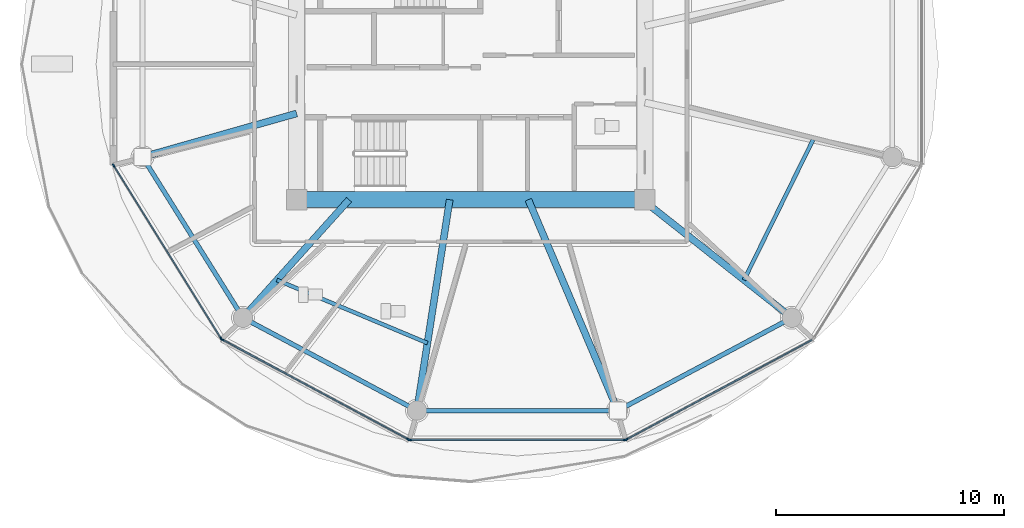
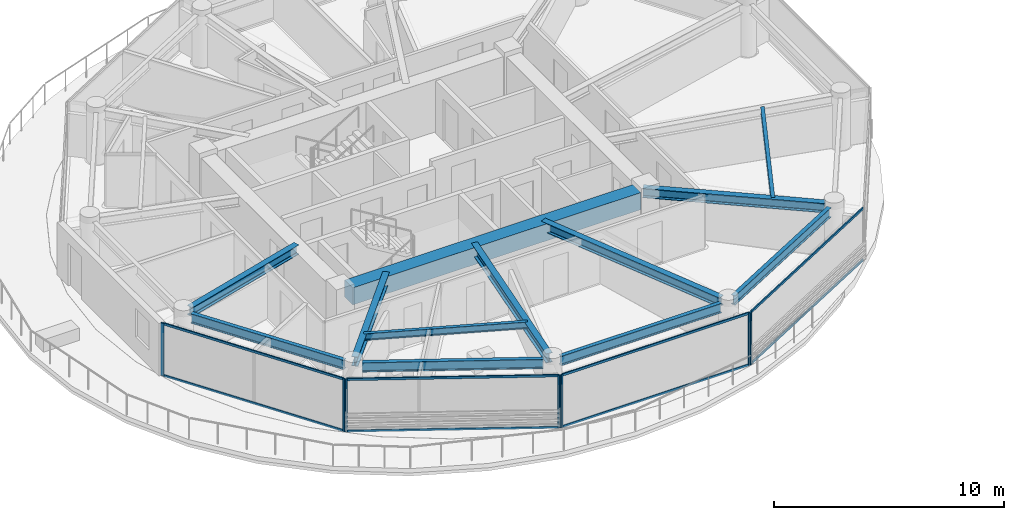
# One storey, part 2 of 32: 15 members, 12 beams, 4 elements without a shape of their own.
"""IFC4 building model written with IfcOpenShell, lengths in metres."""

from ifc_helpers import new_model, si_unit, direction, frame, origin, origin_2d, place, context, subcontext, project, spatial, rectangle, i_section, extrude, source, transform, mapped, material, layer, layer_set, material_profile, profile_set, type_object, type_shapes, element, aggregate, save


model = new_model("IFC4")

# Units and contexts
model_context = context("Model", 3, precision=1e-05, world=origin(), true_north=direction((0.0, 1.0)))
body_context = subcontext(model_context, "Body", "Model", "MODEL_VIEW")
ifc_project = project(units=[si_unit("LENGTHUNIT", "METRE"), si_unit("AREAUNIT", "SQUARE_METRE"), si_unit("VOLUMEUNIT", "CUBIC_METRE"), si_unit("PLANEANGLEUNIT", "RADIAN"), si_unit("MASSUNIT", "GRAM", prefix="KILO")], contexts=[model_context])

# Site, building, storey
site_placement = place(None, origin())
site = spatial("IfcSite", under=ifc_project, at=site_placement, CompositionType="ELEMENT")
building_placement = place(site_placement, origin())
building = spatial("IfcBuilding", under=site, at=building_placement, Name="Norrkilde Senior Care Towers", CompositionType="ELEMENT")
storey_placement = place(building_placement, frame((0.0, 0.0, 77.949951171875)))
storey = spatial("IfcBuildingStorey", under=building, at=storey_placement, Name="L23", CompositionType="ELEMENT", Elevation=77.949951171875)

# Beams
ifc_material_1 = material(Name="Concrete C60/75", Category="concrete")
ifc_material_profile_1 = material_profile(ifc_material_1, rectangle(XDim=0.699951171875, YDim=0.89990234375, at=origin_2d()), Name="RC BM 700x900")
ifc_profile_set_1 = profile_set([ifc_material_profile_1], Name="Concrete C60/75")
beam_type_1 = type_object("IfcBeamType", Name="Core Coupling Girder 700x900", PredefinedType="USERDEFINED", material=ifc_profile_set_1)
shared_shape_1 = source(origin(), body_context, "Body", "SweptSolid", [
    extrude(rectangle(XDim=0.699951171875, YDim=0.89990234375, at=origin_2d()), origin(), (0.0, 0.0, 1.0), 14.43994140625),
])
type_shapes(beam_type_1, [shared_shape_1])
beam_1_placement = place(storey_placement, frame((-35.219970703125, -5.949951171875, 2.340087890625), z_axis=(1.0, 0.0, 0.0), x_axis=(0.0, 1.0, 0.0)))
element("IfcBeam", 1, at=beam_1_placement, inside=storey, type_object=beam_type_1, Name="L23 Core W S Coupling Girder", ObjectType="GIRDER", PredefinedType="USERDEFINED", context=body_context, shape_type="MappedRepresentation", body=[
    mapped(shared_shape_1, transform((0.0, 0.0, 0.0), x_axis=(1.0, 0.0, 0.0), y_axis=(0.0, 1.0, 0.0), z_axis=(0.0, 0.0, 1.0), scale=1.0)),
])
ifc_material_2 = material(Name="Steel S355", Category="steel")
ifc_material_profile_2 = material_profile(ifc_material_2, i_section(OverallWidth=0.199951171875, OverallDepth=0.5, WebThickness=0.01025390625, FlangeThickness=0.01611328125, FilletRadius=0.02099609375, at=origin_2d()), Name="IPE 500")
ifc_profile_set_2 = profile_set([ifc_material_profile_2], Name="Steel S355")
beam_type_2 = type_object("IfcBeamType", Name="Perimeter Ring Spandrel Z2 IPE500", PredefinedType="SPANDREL", material=ifc_profile_set_2)
shared_shape_2 = source(origin(), body_context, "Body", "SweptSolid", [
    extrude(i_section(OverallWidth=0.199951171875, OverallDepth=0.5, WebThickness=0.01025390625, FlangeThickness=0.01611328125, FilletRadius=0.02099609375, at=origin_2d()), origin(), (0.0, 0.0, 1.0), 7.892333984375),
])
for number, where, z_axis, x_axis, name in (
    (2, (-37.66650390625, -11.318115234375, 2.5400390625), (0.882350372282, -0.47059305194, 0.0), (0.47059305194, 0.882350372282, 0.0), "L23 Drum W Perimeter Spandrel 08"),
    (3, (-21.197509765625, -15.0322265625, 2.5400390625), (0.882350372282, 0.47059305194, 0.0), (-0.47059305194, 0.882350372282, 0.0), "L23 Drum W Perimeter Spandrel 10"),
):
    element("IfcBeam", number, at=place(storey_placement, frame(where, z_axis=z_axis, x_axis=x_axis)), inside=storey, type_object=beam_type_2, Name=name, PredefinedType="SPANDREL", context=body_context, shape_type="MappedRepresentation", body=[
        mapped(shared_shape_2, transform((0.0, 0.0, 0.0), x_axis=(1.0, 0.0, 0.0), y_axis=(0.0, 1.0, 0.0), z_axis=(0.0, 0.0, 1.0), scale=1.0)),
    ])
ifc_material_profile_3 = material_profile(ifc_material_2, i_section(OverallWidth=0.300048828125, OverallDepth=0.5, WebThickness=0.014404296875, FlangeThickness=0.028076171875, FilletRadius=0.027099609375, at=origin_2d()), Name="HEB 500")
ifc_profile_set_3 = profile_set([ifc_material_profile_3], Name="Steel S355")
beam_type_3 = type_object("IfcBeamType", Name="Radial Floor Beam Z2 HEB500", PredefinedType="BEAM", material=ifc_profile_set_3)
shared_shape_3 = source(origin(), body_context, "Body", "SweptSolid", [
    extrude(i_section(OverallWidth=0.300048828125, OverallDepth=0.5, WebThickness=0.014404296875, FlangeThickness=0.028076171875, FilletRadius=0.027099609375, at=origin_2d()), origin(), (0.0, 0.0, 1.0), 7.985595703125),
])
beam_2_placement = place(storey_placement, frame((-20.463623046875, -5.949951171875, 2.5400390625), z_axis=(0.784858505144, -0.619675017169, 0.0), x_axis=(0.619675017169, 0.784858505144, 0.0)))
element("IfcBeam", 4, at=beam_2_placement, inside=storey, type_object=beam_type_3, Name="L23 Drum W Radial Floor Beam 11", PredefinedType="BEAM", context=body_context, shape_type="MappedRepresentation", body=[
    mapped(shared_shape_3, transform((0.0, 0.0, 0.0), x_axis=(1.0, 0.0, 0.0), y_axis=(0.0, 1.0, 0.0), z_axis=(0.0, 0.0, 1.0), scale=1.0)),
])
shared_shape_4 = source(origin(), body_context, "Body", "SweptSolid", [
    extrude(i_section(OverallWidth=0.199951171875, OverallDepth=0.5, WebThickness=0.01025390625, FlangeThickness=0.01611328125, FilletRadius=0.02099609375, at=origin_2d()), origin(), (0.0, 0.0, 1.0), 8.0556640625),
])
beam_3_placement = place(storey_placement, frame((-29.977783203125, -15.21337890625, 2.5400390625), z_axis=(1.0, 0.0, 0.0), x_axis=(0.0, 1.0, 0.0)))
element("IfcBeam", 5, at=beam_3_placement, inside=storey, type_object=beam_type_2, Name="L23 Drum W Perimeter Spandrel 09", PredefinedType="SPANDREL", context=body_context, shape_type="MappedRepresentation", body=[
    mapped(shared_shape_4, transform((0.0, 0.0, 0.0), x_axis=(1.0, 0.0, 0.0), y_axis=(0.0, 1.0, 0.0), z_axis=(0.0, 0.0, 1.0), scale=1.0)),
])
shared_shape_5 = source(origin(), body_context, "Body", "SweptSolid", [
    extrude(i_section(OverallWidth=0.300048828125, OverallDepth=0.5, WebThickness=0.014404296875, FlangeThickness=0.028076171875, FilletRadius=0.027099609375, at=origin_2d()), origin(), (0.0, 0.0, 1.0), 9.679443359375),
])
beam_4_placement = place(storey_placement, frame((-25.472412109375, -5.949951171875, 2.5400390625), z_axis=(0.390998033479, -0.920391513333, 0.0), x_axis=(0.920391513333, 0.390998033479, 0.0)))
element("IfcBeam", 6, at=beam_4_placement, inside=storey, type_object=beam_type_3, Name="L23 Drum W Radial Floor Beam 10", PredefinedType="BEAM", context=body_context, shape_type="MappedRepresentation", body=[
    mapped(shared_shape_5, transform((0.0, 0.0, 0.0), x_axis=(1.0, 0.0, 0.0), y_axis=(0.0, 1.0, 0.0), z_axis=(0.0, 0.0, 1.0), scale=1.0)),
])
shared_shape_6 = source(origin(), body_context, "Body", "SweptSolid", [
    extrude(i_section(OverallWidth=0.300048828125, OverallDepth=0.5, WebThickness=0.014404296875, FlangeThickness=0.028076171875, FilletRadius=0.027099609375, at=origin_2d()), origin(), (0.0, 0.0, 1.0), 8.989501953125),
])
beam_5_placement = place(storey_placement, frame((-28.924072265625, -5.949951171875, 2.5400390625), z_axis=(-0.153471298636, -0.988153105796, 0.0), x_axis=(0.988153105796, -0.153471298636, 0.0)))
element("IfcBeam", 7, at=beam_5_placement, inside=storey, type_object=beam_type_3, Name="L23 Drum W Radial Floor Beam 09", PredefinedType="BEAM", context=body_context, shape_type="MappedRepresentation", body=[
    mapped(shared_shape_6, transform((0.0, 0.0, 0.0), x_axis=(1.0, 0.0, 0.0), y_axis=(0.0, 1.0, 0.0), z_axis=(0.0, 0.0, 1.0), scale=1.0)),
])
shared_shape_7 = source(origin(), body_context, "Body", "SweptSolid", [
    extrude(i_section(OverallWidth=0.199951171875, OverallDepth=0.5, WebThickness=0.01025390625, FlangeThickness=0.01611328125, FilletRadius=0.02099609375, at=origin_2d()), origin(), (0.0, 0.0, 1.0), 7.556396484375),
])
type_shapes(beam_type_2, [shared_shape_2, shared_shape_4, shared_shape_7])
beam_6_placement = place(storey_placement, frame((-42.215087890625, -4.40283203125, 2.5400390625), z_axis=(0.530004748437, -0.847994673706, 0.0), x_axis=(0.847994673706, 0.530004748437, 0.0)))
element("IfcBeam", 8, at=beam_6_placement, inside=storey, type_object=beam_type_2, Name="L23 Drum W Perimeter Spandrel 07", PredefinedType="SPANDREL", context=body_context, shape_type="MappedRepresentation", body=[
    mapped(shared_shape_7, transform((0.0, 0.0, 0.0), x_axis=(1.0, 0.0, 0.0), y_axis=(0.0, 1.0, 0.0), z_axis=(0.0, 0.0, 1.0), scale=1.0)),
])
shared_shape_8 = source(origin(), body_context, "Body", "SweptSolid", [
    extrude(i_section(OverallWidth=0.300048828125, OverallDepth=0.5, WebThickness=0.014404296875, FlangeThickness=0.028076171875, FilletRadius=0.027099609375, at=origin_2d()), origin(), (0.0, 0.0, 1.0), 6.587890625),
])
beam_7_placement = place(storey_placement, frame((-33.345947265625, -5.949951171875, 2.5400390625), z_axis=(-0.668315438605, -0.743877997068, 0.0), x_axis=(0.743877997068, -0.668315438605, 0.0)))
element("IfcBeam", 9, at=beam_7_placement, inside=storey, type_object=beam_type_3, Name="L23 Drum W Radial Floor Beam 08", PredefinedType="BEAM", context=body_context, shape_type="MappedRepresentation", body=[
    mapped(shared_shape_8, transform((0.0, 0.0, 0.0), x_axis=(1.0, 0.0, 0.0), y_axis=(0.0, 1.0, 0.0), z_axis=(0.0, 0.0, 1.0), scale=1.0)),
])
shared_shape_9 = source(origin(), body_context, "Body", "SweptSolid", [
    extrude(i_section(OverallWidth=0.300048828125, OverallDepth=0.5, WebThickness=0.014404296875, FlangeThickness=0.028076171875, FilletRadius=0.027099609375, at=origin_2d()), origin(), (0.0, 0.0, 1.0), 6.6494140625),
])
type_shapes(beam_type_3, [shared_shape_3, shared_shape_5, shared_shape_6, shared_shape_8, shared_shape_9])
beam_8_placement = place(storey_placement, frame((-35.64990234375, -2.162841796875, 2.5400390625), z_axis=(-0.962289138357, -0.27202870106, 0.0), x_axis=(0.27202870106, -0.962289138357, 0.0)))
element("IfcBeam", 10, at=beam_8_placement, inside=storey, type_object=beam_type_3, Name="L23 Drum W Radial Floor Beam 07", PredefinedType="BEAM", context=body_context, shape_type="MappedRepresentation", body=[
    mapped(shared_shape_9, transform((0.0, 0.0, 0.0), x_axis=(1.0, 0.0, 0.0), y_axis=(0.0, 1.0, 0.0), z_axis=(0.0, 0.0, 1.0), scale=1.0)),
])
ifc_material_profile_4 = material_profile(ifc_material_2, i_section(OverallWidth=0.169921875, OverallDepth=0.360107421875, WebThickness=0.008056640625, FlangeThickness=0.0126953125, FilletRadius=0.01806640625, at=origin_2d()), Name="IPE 360")
ifc_profile_set_4 = profile_set([ifc_material_profile_4], Name="Steel S355")
beam_type_4 = type_object("IfcBeamType", Name="Secondary Floor Joist IPE360", PredefinedType="JOIST", material=ifc_profile_set_4)
shared_shape_10 = source(origin(), body_context, "Body", "SweptSolid", [
    extrude(i_section(OverallWidth=0.169921875, OverallDepth=0.360107421875, WebThickness=0.008056640625, FlangeThickness=0.0126953125, FilletRadius=0.01806640625, at=origin_2d()), origin(), (0.0, 0.0, 1.0), 7.169921875),
])
beam_9_placement = place(storey_placement, frame((-36.514892578125, -9.47705078125, 2.610107421875), z_axis=(0.922240600393, -0.386616444279, 0.0), x_axis=(0.386616444279, 0.922240600393, 0.0)))
element("IfcBeam", 11, at=beam_9_placement, inside=storey, type_object=beam_type_4, Name="L23 Drum W Secondary Floor Joist 3", PredefinedType="JOIST", context=body_context, shape_type="MappedRepresentation", body=[
    mapped(shared_shape_10, transform((0.0, 0.0, 0.0), x_axis=(1.0, 0.0, 0.0), y_axis=(0.0, 1.0, 0.0), z_axis=(0.0, 0.0, 1.0), scale=1.0)),
])
shared_shape_11 = source(origin(), body_context, "Body", "SweptSolid", [
    extrude(i_section(OverallWidth=0.169921875, OverallDepth=0.360107421875, WebThickness=0.008056640625, FlangeThickness=0.0126953125, FilletRadius=0.01806640625, at=origin_2d()), origin(), (0.0, 0.0, 1.0), 6.87353515625),
])
type_shapes(beam_type_4, [shared_shape_10, shared_shape_11])
beam_10_placement = place(storey_placement, frame((-15.99609375, -9.47705078125, 2.610107421875), z_axis=(0.44184939592, 0.897089243791, 0.0), x_axis=(-0.897089243791, 0.44184939592, 0.0)))
element("IfcBeam", 12, at=beam_10_placement, inside=storey, type_object=beam_type_4, Name="L23 Drum W Secondary Floor Joist 4", PredefinedType="JOIST", context=body_context, shape_type="MappedRepresentation", body=[
    mapped(shared_shape_11, transform((0.0, 0.0, 0.0), x_axis=(1.0, 0.0, 0.0), y_axis=(0.0, 1.0, 0.0), z_axis=(0.0, 0.0, 1.0), scale=1.0)),
])

# Curtain wall, members
ifc_material_3 = material(Name="Triple Low-E Insulated Glazing", Category="glass")
ifc_layer = layer(ifc_material_3, 0.195068359375)
ifc_layer_set = layer_set([ifc_layer], Name="Triple Low-E Insulated Glazing")
curtain_wall_type = type_object("IfcCurtainWallType", Name="CW3 Zone 2 Assisted Living Curtain Wall", PredefinedType="NOTDEFINED", material=ifc_layer_set)
curtain_wall_1_placement = place(storey_placement, origin())
curtain_wall_1 = element("IfcCurtainWall", 13, at=curtain_wall_1_placement, inside=storey, type_object=curtain_wall_type, Name="L23 Drum W Curtain Wall 06", PredefinedType="NOTDEFINED")
ifc_material_4 = material(Name="Anodised Aluminium", Category="aluminium")
ifc_material_profile_5 = material_profile(ifc_material_4, rectangle(XDim=0.06494140625, YDim=0.159912109375, at=origin_2d()), Name="ALU MULL 65x160")
ifc_profile_set_5 = profile_set([ifc_material_profile_5], Name="Anodised Aluminium")
member_type_1 = type_object("IfcMemberType", Name="Curtain Wall Mullion Z1-Z2 65x160", PredefinedType="MULLION", material=ifc_profile_set_5)
shared_shape_12 = source(origin(), body_context, "Body", "SweptSolid", [
    extrude(rectangle(XDim=0.06494140625, YDim=0.159912109375, at=origin_2d()), origin(), (0.0, 0.0, 1.0), 2.7900390625),
])
type_shapes(member_type_1, [shared_shape_12])
member_1_placement = place(storey_placement, frame((-38.9638671875, -12.0498046875, 0.0), z_axis=(0.0, 0.0, 1.0), x_axis=(-0.849410171862, -0.527733228002, 0.0)))
member_1 = element("IfcMember", 14, at=member_1_placement, type_object=member_type_1, Name="CW-3 mullion 1", PredefinedType="MULLION", context=body_context, shape_type="MappedRepresentation", body=[
    mapped(shared_shape_12, transform((0.0, 0.0, 0.0), x_axis=(1.0, 0.0, 0.0), y_axis=(0.0, 1.0, 0.0), z_axis=(0.0, 0.0, 1.0), scale=1.0)),
])
member_2_placement = place(storey_placement, frame((-43.6865234375, -4.4482421875, 0.0), z_axis=(0.0, 0.0, 1.0), x_axis=(-0.849410171862, -0.527733228002, 0.0)))
member_2 = element("IfcMember", 15, at=member_2_placement, type_object=member_type_1, Name="CW-3 mullion 2", PredefinedType="MULLION", context=body_context, shape_type="MappedRepresentation", body=[
    mapped(shared_shape_12, transform((0.0, 0.0, 0.0), x_axis=(1.0, 0.0, 0.0), y_axis=(0.0, 1.0, 0.0), z_axis=(0.0, 0.0, 1.0), scale=1.0)),
])

curtain_wall_2_placement = place(storey_placement, origin())
curtain_wall_2 = element("IfcCurtainWall", 16, at=curtain_wall_2_placement, inside=storey, type_object=curtain_wall_type, Name="L23 Drum W Curtain Wall 07", PredefinedType="NOTDEFINED")
member_3_placement = place(storey_placement, frame((-30.73583984375, -16.482666015625, 0.0), z_axis=(0.0, 0.0, 1.0), x_axis=(-0.472769402511, -0.881186184668, 0.0)))
member_3 = element("IfcMember", 17, at=member_3_placement, type_object=member_type_1, Name="CW-3 mullion 1", PredefinedType="MULLION", context=body_context, shape_type="MappedRepresentation", body=[
    mapped(shared_shape_12, transform((0.0, 0.0, 0.0), x_axis=(1.0, 0.0, 0.0), y_axis=(0.0, 1.0, 0.0), z_axis=(0.0, 0.0, 1.0), scale=1.0)),
])
member_4_placement = place(storey_placement, frame((-38.91796875, -12.0927734375, 0.0), z_axis=(0.0, 0.0, 1.0), x_axis=(-0.472769402511, -0.881186184668, 0.0)))
member_4 = element("IfcMember", 18, at=member_4_placement, type_object=member_type_1, Name="CW-3 mullion 2", PredefinedType="MULLION", context=body_context, shape_type="MappedRepresentation", body=[
    mapped(shared_shape_12, transform((0.0, 0.0, 0.0), x_axis=(1.0, 0.0, 0.0), y_axis=(0.0, 1.0, 0.0), z_axis=(0.0, 0.0, 1.0), scale=1.0)),
])

curtain_wall_3_placement = place(storey_placement, origin())
curtain_wall_3 = element("IfcCurtainWall", 19, at=curtain_wall_3_placement, inside=storey, type_object=curtain_wall_type, Name="L23 Drum W Curtain Wall 08", PredefinedType="NOTDEFINED")
member_5_placement = place(storey_placement, frame((-21.225341796875, -16.498046875, 0.0), z_axis=(0.0, 0.0, 1.0), x_axis=(0.0, -1.0, 0.0)))
member_5 = element("IfcMember", 20, at=member_5_placement, type_object=member_type_1, Name="CW-3 mullion 1", PredefinedType="MULLION", context=body_context, shape_type="MappedRepresentation", body=[
    mapped(shared_shape_12, transform((0.0, 0.0, 0.0), x_axis=(1.0, 0.0, 0.0), y_axis=(0.0, 1.0, 0.0), z_axis=(0.0, 0.0, 1.0), scale=1.0)),
])
member_6_placement = place(storey_placement, frame((-30.674560546875, -16.498046875, 0.0), z_axis=(0.0, 0.0, 1.0), x_axis=(0.0, -1.0, 0.0)))
member_6 = element("IfcMember", 21, at=member_6_placement, type_object=member_type_1, Name="CW-3 mullion 2", PredefinedType="MULLION", context=body_context, shape_type="MappedRepresentation", body=[
    mapped(shared_shape_12, transform((0.0, 0.0, 0.0), x_axis=(1.0, 0.0, 0.0), y_axis=(0.0, 1.0, 0.0), z_axis=(0.0, 0.0, 1.0), scale=1.0)),
])

# Curtain wall, member
curtain_wall_4_placement = place(storey_placement, origin())
curtain_wall_4 = element("IfcCurtainWall", 22, at=curtain_wall_4_placement, inside=storey, type_object=curtain_wall_type, Name="L23 Drum W Curtain Wall 09", PredefinedType="NOTDEFINED")
member_7_placement = place(storey_placement, frame((-21.164306640625, -16.482666015625, 0.0), z_axis=(0.0, 0.0, 1.0), x_axis=(0.472769402511, -0.881186184668, 0.0)))
member_7 = element("IfcMember", 23, at=member_7_placement, type_object=member_type_1, Name="CW-3 mullion 2", PredefinedType="MULLION", context=body_context, shape_type="MappedRepresentation", body=[
    mapped(shared_shape_12, transform((0.0, 0.0, 0.0), x_axis=(1.0, 0.0, 0.0), y_axis=(0.0, 1.0, 0.0), z_axis=(0.0, 0.0, 1.0), scale=1.0)),
])

# Member
ifc_material_profile_6 = material_profile(ifc_material_4, rectangle(XDim=0.06005859375, YDim=0.1201171875, at=origin_2d()), Name="ALU TRAN 60x120")
ifc_profile_set_6 = profile_set([ifc_material_profile_6], Name="Anodised Aluminium")
member_type_2 = type_object("IfcMemberType", Name="Curtain Wall Transom Typical 60x120", PredefinedType="USERDEFINED", material=ifc_profile_set_6)
shared_shape_13 = source(origin(), body_context, "Body", "SweptSolid", [
    extrude(rectangle(XDim=0.06005859375, YDim=0.1201171875, at=origin_2d()), origin(), (0.0, 0.0, 1.0), 8.88427734375),
])
member_8_placement = place(storey_placement, frame((-38.98095703125, -12.022216796875, 0.030029296875), z_axis=(-0.527729466743, 0.849412508697, 0.0), x_axis=(-0.849412508697, -0.527729466743, 0.0)))
member_8 = element("IfcMember", 24, at=member_8_placement, type_object=member_type_2, Name="CW-3 transom 1.1", ObjectType="TRANSOM", PredefinedType="USERDEFINED", context=body_context, shape_type="MappedRepresentation", body=[
    mapped(shared_shape_13, transform((0.0, 0.0, 0.0), x_axis=(1.0, 0.0, 0.0), y_axis=(0.0, 1.0, 0.0), z_axis=(0.0, 0.0, 1.0), scale=1.0)),
])

member_9_placement = place(storey_placement, frame((-38.98095703125, -12.022216796875, 2.760009765625), z_axis=(-0.527729466743, 0.849412508697, 0.0), x_axis=(-0.849412508697, -0.527729466743, 0.0)))
member_9 = element("IfcMember", 25, at=member_9_placement, type_object=member_type_2, Name="CW-3 transom 1.2", ObjectType="TRANSOM", PredefinedType="USERDEFINED", context=body_context, shape_type="MappedRepresentation", body=[
    mapped(shared_shape_13, transform((0.0, 0.0, 0.0), x_axis=(1.0, 0.0, 0.0), y_axis=(0.0, 1.0, 0.0), z_axis=(0.0, 0.0, 1.0), scale=1.0)),
])

aggregate(curtain_wall_1, [member_1, member_2, member_8, member_9])

shared_shape_14 = source(origin(), body_context, "Body", "SweptSolid", [
    extrude(rectangle(XDim=0.06005859375, YDim=0.1201171875, at=origin_2d()), origin(), (0.0, 0.0, 1.0), 9.220458984375),
])
member_10_placement = place(storey_placement, frame((-30.764404296875, -16.46728515625, 0.030029296875), z_axis=(-0.881188517866, 0.472765053681, 0.0), x_axis=(-0.472765053681, -0.881188517866, 0.0)))
member_10 = element("IfcMember", 26, at=member_10_placement, type_object=member_type_2, Name="CW-3 transom 1.1", ObjectType="TRANSOM", PredefinedType="USERDEFINED", context=body_context, shape_type="MappedRepresentation", body=[
    mapped(shared_shape_14, transform((0.0, 0.0, 0.0), x_axis=(1.0, 0.0, 0.0), y_axis=(0.0, 1.0, 0.0), z_axis=(0.0, 0.0, 1.0), scale=1.0)),
])

member_11_placement = place(storey_placement, frame((-30.764404296875, -16.46728515625, 2.760009765625), z_axis=(-0.881188517866, 0.472765053681, 0.0), x_axis=(-0.472765053681, -0.881188517866, 0.0)))
member_11 = element("IfcMember", 27, at=member_11_placement, type_object=member_type_2, Name="CW-3 transom 1.2", ObjectType="TRANSOM", PredefinedType="USERDEFINED", context=body_context, shape_type="MappedRepresentation", body=[
    mapped(shared_shape_14, transform((0.0, 0.0, 0.0), x_axis=(1.0, 0.0, 0.0), y_axis=(0.0, 1.0, 0.0), z_axis=(0.0, 0.0, 1.0), scale=1.0)),
])

aggregate(curtain_wall_2, [member_3, member_4, member_10, member_11])

member_12_placement = place(storey_placement, frame((-13.0107421875, -12.108154296875, 0.030029296875), z_axis=(-0.881188517866, -0.472765053681, 0.0), x_axis=(0.472765053681, -0.881188517866, 0.0)))
member_12 = element("IfcMember", 28, at=member_12_placement, type_object=member_type_2, Name="CW-3 transom 1.1", ObjectType="TRANSOM", PredefinedType="USERDEFINED", context=body_context, shape_type="MappedRepresentation", body=[
    mapped(shared_shape_14, transform((0.0, 0.0, 0.0), x_axis=(1.0, 0.0, 0.0), y_axis=(0.0, 1.0, 0.0), z_axis=(0.0, 0.0, 1.0), scale=1.0)),
])

member_13_placement = place(storey_placement, frame((-13.0107421875, -12.108154296875, 2.760009765625), z_axis=(-0.881188517866, -0.472765053681, 0.0), x_axis=(0.472765053681, -0.881188517866, 0.0)))
member_13 = element("IfcMember", 29, at=member_13_placement, type_object=member_type_2, Name="CW-3 transom 1.2", ObjectType="TRANSOM", PredefinedType="USERDEFINED", context=body_context, shape_type="MappedRepresentation", body=[
    mapped(shared_shape_14, transform((0.0, 0.0, 0.0), x_axis=(1.0, 0.0, 0.0), y_axis=(0.0, 1.0, 0.0), z_axis=(0.0, 0.0, 1.0), scale=1.0)),
])

aggregate(curtain_wall_4, [member_7, member_12, member_13])

shared_shape_15 = source(origin(), body_context, "Body", "SweptSolid", [
    extrude(rectangle(XDim=0.06005859375, YDim=0.1201171875, at=origin_2d()), origin(), (0.0, 0.0, 1.0), 9.38427734375),
])
type_shapes(member_type_2, [shared_shape_13, shared_shape_14, shared_shape_15])
member_14_placement = place(storey_placement, frame((-21.2578125, -16.498046875, 0.030029296875), z_axis=(-1.0, 0.0, 0.0), x_axis=(0.0, -1.0, 0.0)))
member_14 = element("IfcMember", 30, at=member_14_placement, type_object=member_type_2, Name="CW-3 transom 1.1", ObjectType="TRANSOM", PredefinedType="USERDEFINED", context=body_context, shape_type="MappedRepresentation", body=[
    mapped(shared_shape_15, transform((0.0, 0.0, 0.0), x_axis=(1.0, 0.0, 0.0), y_axis=(0.0, 1.0, 0.0), z_axis=(0.0, 0.0, 1.0), scale=1.0)),
])

member_15_placement = place(storey_placement, frame((-21.2578125, -16.498046875, 2.760009765625), z_axis=(-1.0, 0.0, 0.0), x_axis=(0.0, -1.0, 0.0)))
member_15 = element("IfcMember", 31, at=member_15_placement, type_object=member_type_2, Name="CW-3 transom 1.2", ObjectType="TRANSOM", PredefinedType="USERDEFINED", context=body_context, shape_type="MappedRepresentation", body=[
    mapped(shared_shape_15, transform((0.0, 0.0, 0.0), x_axis=(1.0, 0.0, 0.0), y_axis=(0.0, 1.0, 0.0), z_axis=(0.0, 0.0, 1.0), scale=1.0)),
])

aggregate(curtain_wall_3, [member_5, member_6, member_14, member_15])

save(model, "model.ifc")
